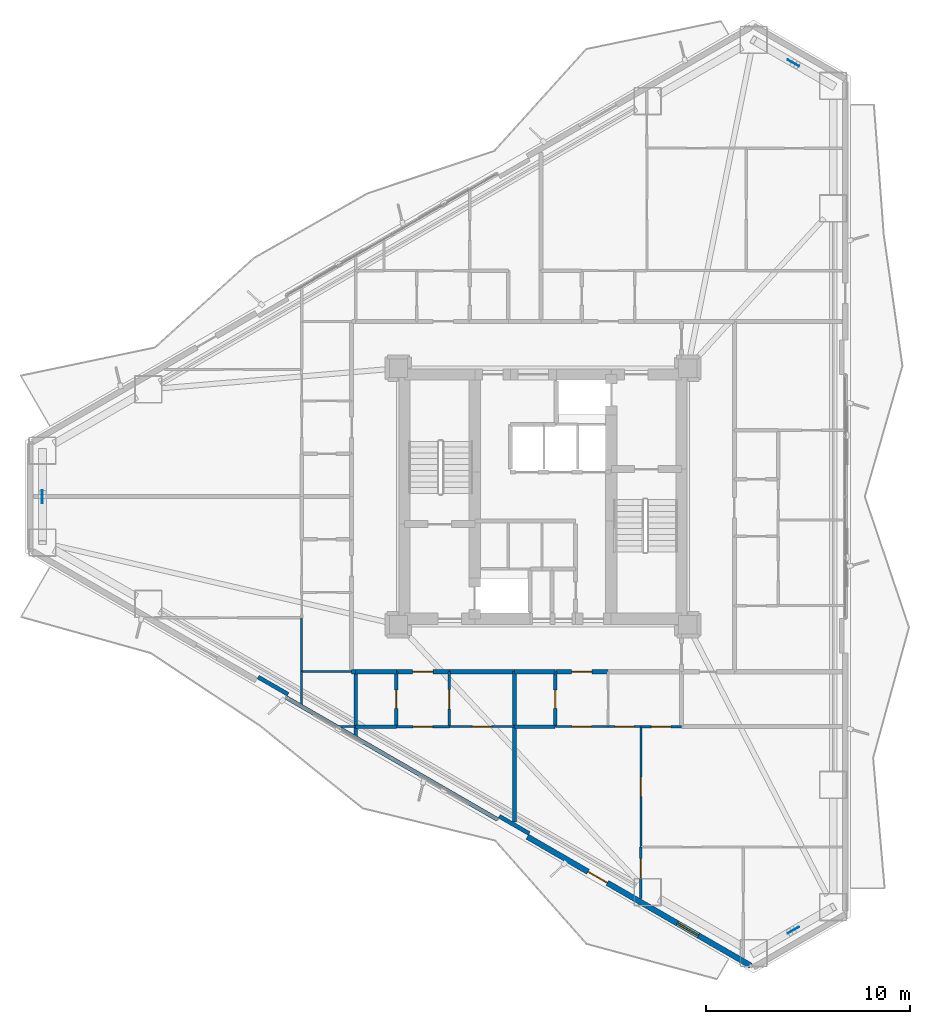
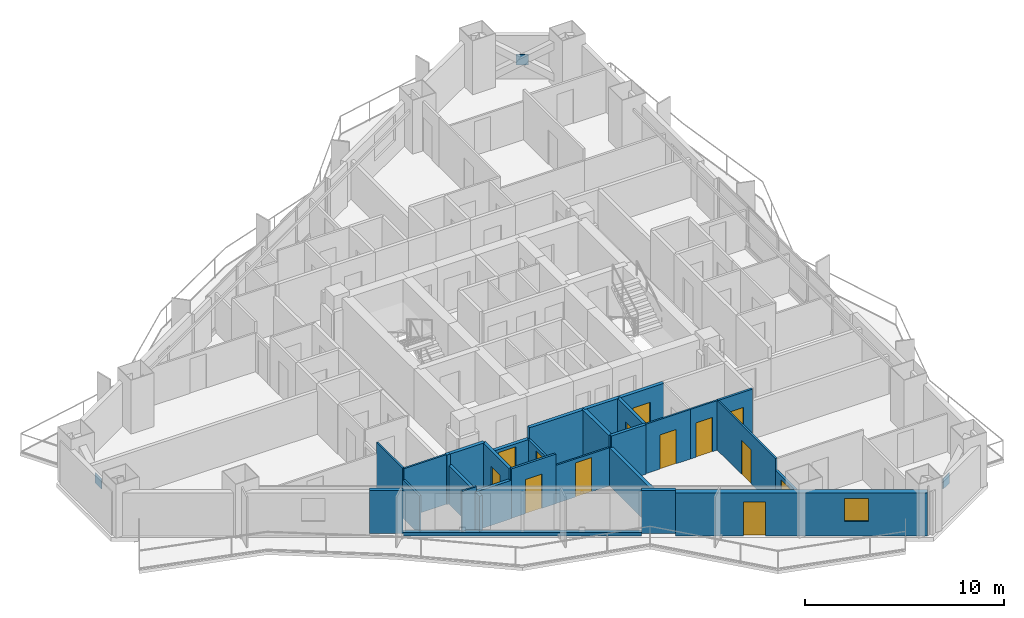
# One storey, part 11 of 18: 29 walls, 13 doors, 3 plates, 1 window, 14 openings.
"""IFC4 building model written with IfcOpenShell, lengths in metres."""

from ifc_helpers import new_model, si_unit, direction, frame, frame_2d, origin, origin_2d, place, context, subcontext, project, spatial, rectangle, extrude, material, layer, layer_set, type_object, element, fill, save


model = new_model("IFC4")

# Units and contexts
model_context = context("Model", 3, precision=1e-05, world=origin(), true_north=direction((0.0, 1.0)))
body_context = subcontext(model_context, "Body", "Model", "MODEL_VIEW")
ifc_project = project(units=[si_unit("LENGTHUNIT", "METRE"), si_unit("AREAUNIT", "SQUARE_METRE"), si_unit("VOLUMEUNIT", "CUBIC_METRE"), si_unit("PLANEANGLEUNIT", "RADIAN"), si_unit("MASSUNIT", "GRAM", prefix="KILO")], contexts=[model_context])

# Site, building, storey
site_placement = place(None, origin())
site = spatial("IfcSite", under=ifc_project, at=site_placement, CompositionType="ELEMENT")
building_placement = place(site_placement, origin())
building = spatial("IfcBuilding", under=site, at=building_placement, Name="Mersakhor Tower and Convention Hall", CompositionType="ELEMENT")
storey_placement = place(building_placement, frame((0.0, 0.0, 39.0)))
storey = spatial("IfcBuildingStorey", under=building, at=storey_placement, Name="L10", CompositionType="ELEMENT", Elevation=39.0)

# Plates
ifc_material_1 = material(Name="Steel S460", Category="steel")
ifc_layer_1 = layer(ifc_material_1, 0.0400390625)
ifc_layer_set_1 = layer_set([ifc_layer_1], Name="Steel S460")
plate_type = type_object("IfcPlateType", Name="PL-GUSSET-40", PredefinedType="SHEET", material=ifc_layer_set_1)
for number, where, z_axis, x_axis, name in (
    (1, (41.29345703125, 48.04296875, 1.2001953125), (0.0, 0.0, 1.0), (-0.866025403784, 0.5, 0.0), "L10 X-Brace Crossing Gusset Node Plate"),
    (2, (41.29345703125, 5.45703125, 1.2001953125), (0.0, 0.0, 1.0), (0.866025403784, 0.5, 0.0), "L10 X-Brace Crossing Gusset Node Plate"),
    (3, (4.4130859375, 26.75, 1.2001953125), (0.0, 0.0, 1.0), (0.0, -1.0, 0.0), "L10 X-Brace Crossing Gusset Node Plate"),
):
    element("IfcPlate", number, at=place(storey_placement, frame(where, z_axis=z_axis, x_axis=x_axis)), inside=storey, type_object=plate_type, Name=name, PredefinedType="SHEET", context=body_context, shape_type="SweptSolid", body=[
        extrude(rectangle(XDim=0.639892578125, YDim=0.0400390625, at=origin_2d()), origin(), (0.0, 0.0, 1.0), 0.639892578125),
    ])

# Wall, openings, door, window
ifc_material_2 = material(Name="Precast concrete C45/55", Category="concrete")
ifc_layer_2 = layer(ifc_material_2, 0.27490234375)
ifc_layer_set_2 = layer_set([ifc_layer_2], Name="Precast concrete C45/55")
wall_type_1 = type_object("IfcWallType", Name="WL-EXT-275", PredefinedType="SOLIDWALL", material=ifc_layer_set_2)
wall_1_placement = place(storey_placement, frame((39.20703125, 3.709716796875, 0.0), z_axis=(0.0, 0.0, 1.0), x_axis=(-0.86603192154, 0.499988710747, 0.0)))
wall_1 = element("IfcWall", 4, at=wall_1_placement, inside=storey, type_object=wall_type_1, Name="L10 Exterior Facade Wall F3-B1", PredefinedType="SOLIDWALL", context=body_context, shape_type="SweptSolid", body=[
    extrude(rectangle(XDim=12.673095703125, YDim=0.27490234375, at=frame_2d((6.33642578125, 0.0))), origin(), (0.0, 0.0, 1.0), 2.659912109375),
])
opening_1_placement = place(wall_1_placement, frame((8.135986328125, 0.0, 0.0)))
opening_1 = element("IfcOpeningElement", 5, at=opening_1_placement, cuts=wall_1, Name="Opening BD-02", PredefinedType="OPENING", context=body_context, shape_type="SweptSolid", body=[
    extrude(rectangle(XDim=1.10009765625, YDim=2.10009765625, at=frame_2d((0.550048828125, 1.050048828125))), frame((0.0, 0.1474609375, 0.0), z_axis=(0.0, -1.0, 0.0), x_axis=(1.0, 0.0, 0.0)), (0.0, 0.0, 1.0), 0.294921875),
])
opening_2_placement = place(wall_1_placement, frame((2.970947265625, 0.0, 0.89990234375)))
opening_2 = element("IfcOpeningElement", 6, at=opening_2_placement, cuts=wall_1, Name="Opening W-01", PredefinedType="OPENING", context=body_context, shape_type="SweptSolid", body=[
    extrude(rectangle(XDim=1.199951171875, YDim=1.39990234375, at=frame_2d((0.60009765625, 0.699951171875))), frame((0.0, 0.1474609375, 0.0), z_axis=(0.0, -1.0, 0.0), x_axis=(1.0, 0.0, 0.0)), (0.0, 0.0, 1.0), 0.294921875),
])
ifc_material_3 = material(Name="Thermally broken dark aluminium and safety glass", Category="aluminium")
door_type_1 = type_object("IfcDoorType", Name="DR-BAL-110x210", OperationType="NOTDEFINED", PredefinedType="DOOR", material=ifc_material_3)
door_1_placement = place(opening_1_placement, origin())
door_1 = element("IfcDoor", 7, at=door_1_placement, inside=storey, type_object=door_type_1, Name="L10 Balcony Terrace Door F3-B1", OperationType="SINGLE_SWING_RIGHT", OverallHeight=2.10009765625, OverallWidth=1.10009765625, PredefinedType="DOOR", context=body_context, shape_type="SweptSolid", body=[
    extrude(rectangle(XDim=1.10009765625, YDim=2.10009765625, at=frame_2d((0.550048828125, 1.050048828125))), frame((0.0, 0.02490234375, 0.0), z_axis=(0.0, -1.0, 0.0), x_axis=(1.0, 0.0, 0.0)), (0.0, 0.0, 1.0), 0.050048828125),
])
fill(opening_1, door_1)
ifc_material_4 = material(Name="Dark solar low-E glazed aluminium window", Category="aluminium")
window_type = type_object("IfcWindowType", Name="WN-RES-120x150", PartitioningType="SINGLE_PANEL", PredefinedType="WINDOW", material=ifc_material_4)
window_placement = place(opening_2_placement, origin())
window = element("IfcWindow", 8, at=window_placement, inside=storey, type_object=window_type, Name="L10 Bedroom Facade Window F3-B1-1", OverallHeight=1.39990234375, OverallWidth=1.199951171875, PartitioningType="SINGLE_PANEL", PredefinedType="WINDOW", context=body_context, shape_type="SweptSolid", body=[
    extrude(rectangle(XDim=1.199951171875, YDim=1.39990234375, at=frame_2d((0.60009765625, 0.699951171875))), frame((0.0, 0.030029296875, 0.0), z_axis=(0.0, -1.0, 0.0), x_axis=(1.0, 0.0, 0.0)), (0.0, 0.0, 1.0), 0.06005859375),
])
fill(opening_2, window)

# Walls
ifc_material_5 = material(Name="Precast concrete C40/50", Category="concrete")
ifc_layer_3 = layer(ifc_material_5, 0.199951171875)
ifc_layer_set_3 = layer_set([ifc_layer_3], Name="Precast concrete C40/50")
wall_type_2 = type_object("IfcWallType", Name="WL-PAR-200", PredefinedType="PARAPET", material=ifc_layer_set_3)
wall_2_placement = place(storey_placement, frame((26.759521484375, 10.896240234375, 0.0), z_axis=(0.0, 0.0, 1.0), x_axis=(-0.866027351828, 0.499996625875, 0.0)))
element("IfcWall", 9, at=wall_2_placement, inside=storey, type_object=wall_type_2, Name="L10 Curtain Wall Upstand Sill F3-B2", PredefinedType="PARAPET", context=body_context, shape_type="SweptSolid", body=[
    extrude(rectangle(XDim=11.97314453125, YDim=0.199951171875, at=frame_2d((5.986572265625, 0.0))), origin(), (0.0, 0.0, 1.0), 0.199951171875),
])
for number, where, z_axis, x_axis, name in (
    (10, (28.32177734375, 10.2021484375, 0.0), (0.0, 0.0, 1.0), (-0.86605165483, 0.499954529098, 0.0), "L10 Column Pier Cladding Wall F3-C1"),
    (11, (16.48046875, 17.038818359375, 0.0), (0.0, 0.0, 1.0), (-0.86605165483, 0.499954529098, 0.0), "L10 Column Pier Cladding Wall F3-C2"),
):
    element("IfcWall", number, at=place(storey_placement, frame(where, z_axis=z_axis, x_axis=x_axis)), inside=storey, type_object=wall_type_2, Name=name, PredefinedType="PARAPET", context=body_context, shape_type="SweptSolid", body=[
        extrude(rectangle(XDim=1.699951171875, YDim=0.199951171875, at=frame_2d((0.85009765625, 0.0))), origin(), (0.0, 0.0, 1.0), 2.659912109375),
    ])

# Wall, opening, door
ifc_material_6 = material(Name="Moisture-resistant acoustic drywall studwork", Category="other")
ifc_layer_4 = layer(ifc_material_6, 0.175048828125)
ifc_layer_set_4 = layer_set([ifc_layer_4], Name="Moisture-resistant acoustic drywall studwork")
wall_type_3 = type_object("IfcWallType", Name="WL-PLM-175", PredefinedType="PLUMBINGWALL", material=ifc_layer_set_4)
wall_3_placement = place(storey_placement, frame((21.800048828125, 15.449951171875, 0.0), z_axis=(0.0, 0.0, 1.0), x_axis=(0.0, 1.0, 0.0)))
wall_3 = element("IfcWall", 12, at=wall_3_placement, inside=storey, type_object=wall_type_3, Name="L10 Interior Partition Wall P-074", PredefinedType="PLUMBINGWALL", context=body_context, shape_type="SweptSolid", body=[
    extrude(rectangle(XDim=2.699951171875, YDim=0.175048828125, at=frame_2d((1.35009765625, 0.0))), origin(), (0.0, 0.0, 1.0), 3.0400390625),
])
opening_3_placement = place(wall_3_placement, frame((0.89990234375, 0.0, 0.0)))
opening_3 = element("IfcOpeningElement", 13, at=opening_3_placement, cuts=wall_3, Name="Opening WD-01", PredefinedType="OPENING", context=body_context, shape_type="SweptSolid", body=[
    extrude(rectangle(XDim=0.89990234375, YDim=2.10009765625, at=frame_2d((0.449951171875, 1.050048828125))), frame((0.0, 0.097412109375, 0.0), z_axis=(0.0, -1.0, 0.0), x_axis=(1.0, 0.0, 0.0)), (0.0, 0.0, 1.0), 0.195068359375),
])
ifc_material_7 = material(Name="Solid-core hardwood leaf in painted steel frame", Category="steel")
door_type_2 = type_object("IfcDoorType", Name="DR-INT-WET-090x210", OperationType="NOTDEFINED", PredefinedType="DOOR", material=ifc_material_7)
door_2_placement = place(opening_3_placement, origin())
door_2 = element("IfcDoor", 14, at=door_2_placement, inside=storey, type_object=door_type_2, Name="L10 L10 Flat S3 Apartment Hall to L10 Flat S3 Bathroom Door", OperationType="SINGLE_SWING_RIGHT", OverallHeight=2.10009765625, OverallWidth=0.89990234375, PredefinedType="DOOR", context=body_context, shape_type="SweptSolid", body=[
    extrude(rectangle(XDim=0.89990234375, YDim=2.10009765625, at=frame_2d((0.449951171875, 1.050048828125))), frame((0.0, 0.02490234375, 0.0), z_axis=(0.0, -1.0, 0.0), x_axis=(1.0, 0.0, 0.0)), (0.0, 0.0, 1.0), 0.050048828125),
])
fill(opening_3, door_2)

wall_4_placement = place(storey_placement, frame((29.60009765625, 15.449951171875, 0.0), z_axis=(0.0, 0.0, 1.0), x_axis=(0.0, 1.0, 0.0)))
wall_4 = element("IfcWall", 15, at=wall_4_placement, inside=storey, type_object=wall_type_3, Name="L10 Interior Partition Wall P-077", PredefinedType="PLUMBINGWALL", context=body_context, shape_type="SweptSolid", body=[
    extrude(rectangle(XDim=2.699951171875, YDim=0.175048828125, at=frame_2d((1.35009765625, 0.0))), origin(), (0.0, 0.0, 1.0), 3.0400390625),
])
opening_4_placement = place(wall_4_placement, frame((0.89990234375, 0.0, 0.0)))
opening_4 = element("IfcOpeningElement", 16, at=opening_4_placement, cuts=wall_4, Name="Opening WD-01", PredefinedType="OPENING", context=body_context, shape_type="SweptSolid", body=[
    extrude(rectangle(XDim=0.89990234375, YDim=2.10009765625, at=frame_2d((0.449951171875, 1.050048828125))), frame((0.0, 0.097412109375, 0.0), z_axis=(0.0, -1.0, 0.0), x_axis=(1.0, 0.0, 0.0)), (0.0, 0.0, 1.0), 0.195068359375),
])
door_3_placement = place(opening_4_placement, origin())
door_3 = element("IfcDoor", 17, at=door_3_placement, inside=storey, type_object=door_type_2, Name="L10 L10 Flat S4 Apartment Hall to L10 Flat S4 Bathroom Door", OperationType="SINGLE_SWING_LEFT", OverallHeight=2.10009765625, OverallWidth=0.89990234375, PredefinedType="DOOR", context=body_context, shape_type="SweptSolid", body=[
    extrude(rectangle(XDim=0.89990234375, YDim=2.10009765625, at=frame_2d((0.449951171875, 1.050048828125))), frame((0.0, 0.02490234375, 0.0), z_axis=(0.0, -1.0, 0.0), x_axis=(1.0, 0.0, 0.0)), (0.0, 0.0, 1.0), 0.050048828125),
])
fill(opening_4, door_3)

# Walls
wall_5_placement = place(storey_placement, frame((21.800048828125, 15.449951171875, 0.0), z_axis=(0.0, 0.0, 1.0), x_axis=(-1.0, 0.0, 0.0)))
element("IfcWall", 18, at=wall_5_placement, inside=storey, type_object=wall_type_3, Name="L10 Interior Partition Wall P-100", PredefinedType="PLUMBINGWALL", context=body_context, shape_type="SweptSolid", body=[
    extrude(rectangle(XDim=2.0, YDim=0.175048828125, at=frame_2d((1.0, 0.0))), origin(), (0.0, 0.0, 1.0), 2.364990234375),
])
wall_6_placement = place(storey_placement, frame((19.800048828125, 14.955810546875, 0.0), z_axis=(0.0, 0.0, 1.0), x_axis=(0.0, 1.0, 0.0)))
element("IfcWall", 19, at=wall_6_placement, inside=storey, type_object=wall_type_3, Name="L10 Interior Partition Wall P-101", PredefinedType="PLUMBINGWALL", context=body_context, shape_type="SweptSolid", body=[
    extrude(rectangle(XDim=3.194091796875, YDim=0.175048828125, at=frame_2d((1.59716796875, 0.0))), origin(), (0.0, 0.0, 1.0), 2.364990234375),
])
wall_7_placement = place(storey_placement, frame((29.60009765625, 15.449951171875, 0.0), z_axis=(0.0, 0.0, 1.0), x_axis=(-1.0, 0.0, 0.0)))
element("IfcWall", 20, at=wall_7_placement, inside=storey, type_object=wall_type_3, Name="L10 Interior Partition Wall P-104", PredefinedType="PLUMBINGWALL", context=body_context, shape_type="SweptSolid", body=[
    extrude(rectangle(XDim=2.0, YDim=0.175048828125, at=frame_2d((1.0, 0.0))), origin(), (0.0, 0.0, 1.0), 3.0400390625),
])

# Wall, opening, door
ifc_material_8 = material(Name="Lightweight gypsum partition", Category="other")
ifc_layer_5 = layer(ifc_material_8, 0.10009765625)
ifc_layer_set_5 = layer_set([ifc_layer_5], Name="Lightweight gypsum partition")
wall_type_4 = type_object("IfcWallType", Name="WL-PRT-100", PredefinedType="PARTITIONING", material=ifc_layer_set_5)
wall_8_placement = place(storey_placement, frame((32.199951171875, 15.449951171875, 0.0), z_axis=(0.0, 0.0, 1.0), x_axis=(-1.0, 0.0, 0.0)))
wall_8 = element("IfcWall", 21, at=wall_8_placement, inside=storey, type_object=wall_type_4, Name="L10 Interior Partition Wall P-076", PredefinedType="PARTITIONING", context=body_context, shape_type="SweptSolid", body=[
    extrude(rectangle(XDim=2.599853515625, YDim=0.10009765625, at=frame_2d((1.2998046875, 0.0))), origin(), (0.0, 0.0, 1.0), 3.0400390625),
])
opening_5_placement = place(wall_8_placement, frame((0.824951171875, 0.0, 0.0)))
opening_5 = element("IfcOpeningElement", 22, at=opening_5_placement, cuts=wall_8, Name="Opening RD-01", PredefinedType="OPENING", context=body_context, shape_type="SweptSolid", body=[
    extrude(rectangle(XDim=0.949951171875, YDim=2.10009765625, at=frame_2d((0.47509765625, 1.050048828125))), frame((0.0, 0.06005859375, 0.0), z_axis=(0.0, -1.0, 0.0), x_axis=(1.0, 0.0, 0.0)), (0.0, 0.0, 1.0), 0.1201171875),
])
ifc_material_9 = material(Name="Solid-core hardwood leaf in painted steel frame", Category="steel")
door_type_3 = type_object("IfcDoorType", Name="DR-INT-RM-095x210", OperationType="NOTDEFINED", PredefinedType="DOOR", material=ifc_material_9)
door_4_placement = place(opening_5_placement, origin())
door_4 = element("IfcDoor", 23, at=door_4_placement, inside=storey, type_object=door_type_3, Name="L10 L10 Flat S4 Apartment Hall to L10 Flat S4 Living and Dining Room Door", OperationType="SINGLE_SWING_LEFT", OverallHeight=2.10009765625, OverallWidth=0.949951171875, PredefinedType="DOOR", context=body_context, shape_type="SweptSolid", body=[
    extrude(rectangle(XDim=0.949951171875, YDim=2.10009765625, at=frame_2d((0.47509765625, 1.050048828125))), frame((0.0, 0.02490234375, 0.0), z_axis=(0.0, -1.0, 0.0), x_axis=(1.0, 0.0, 0.0)), (0.0, 0.0, 1.0), 0.050048828125),
])
fill(opening_5, door_4)

wall_9_placement = place(storey_placement, frame((27.60009765625, 15.449951171875, 0.0), z_axis=(0.0, 0.0, 1.0), x_axis=(-1.0, 0.0, 0.0)))
wall_9 = element("IfcWall", 24, at=wall_9_placement, inside=storey, type_object=wall_type_4, Name="L10 Interior Partition Wall P-102", PredefinedType="PARTITIONING", context=body_context, shape_type="SweptSolid", body=[
    extrude(rectangle(XDim=3.2001953125, YDim=0.10009765625, at=frame_2d((1.60009765625, 0.0))), origin(), (0.0, 0.0, 1.0), 2.33740234375),
])
opening_6_placement = place(wall_9_placement, frame((1.125, 0.0, 0.0)))
opening_6 = element("IfcOpeningElement", 25, at=opening_6_placement, cuts=wall_9, Name="Opening RD-01", PredefinedType="OPENING", context=body_context, shape_type="SweptSolid", body=[
    extrude(rectangle(XDim=0.949951171875, YDim=2.10009765625, at=frame_2d((0.47509765625, 1.050048828125))), frame((0.0, 0.06005859375, 0.0), z_axis=(0.0, -1.0, 0.0), x_axis=(1.0, 0.0, 0.0)), (0.0, 0.0, 1.0), 0.1201171875),
])
door_5_placement = place(opening_6_placement, origin())
door_5 = element("IfcDoor", 26, at=door_5_placement, inside=storey, type_object=door_type_3, Name="L10 L10 Flat S3 Kitchen to L10 Flat S3 Studio Living and Sleeping Room Door", OperationType="SINGLE_SWING_LEFT", OverallHeight=2.10009765625, OverallWidth=0.949951171875, PredefinedType="DOOR", context=body_context, shape_type="SweptSolid", body=[
    extrude(rectangle(XDim=0.949951171875, YDim=2.10009765625, at=frame_2d((0.47509765625, 1.050048828125))), frame((0.0, 0.02490234375, 0.0), z_axis=(0.0, -1.0, 0.0), x_axis=(1.0, 0.0, 0.0)), (0.0, 0.0, 1.0), 0.050048828125),
])
fill(opening_6, door_5)

wall_10_placement = place(storey_placement, frame((33.800048828125, 15.449951171875, 0.0), z_axis=(0.0, 0.0, 1.0), x_axis=(-1.0, 0.0, 0.0)))
wall_10 = element("IfcWall", 27, at=wall_10_placement, inside=storey, type_object=wall_type_4, Name="L10 Interior Partition Wall P-106", PredefinedType="PARTITIONING", context=body_context, shape_type="SweptSolid", body=[
    extrude(rectangle(XDim=1.60009765625, YDim=0.10009765625, at=frame_2d((0.800048828125, 0.0))), origin(), (0.0, 0.0, 1.0), 3.0400390625),
])
opening_7_placement = place(wall_10_placement, frame((0.324951171875, 0.0, 0.0)))
opening_7 = element("IfcOpeningElement", 28, at=opening_7_placement, cuts=wall_10, Name="Opening RD-01", PredefinedType="OPENING", context=body_context, shape_type="SweptSolid", body=[
    extrude(rectangle(XDim=0.949951171875, YDim=2.10009765625, at=frame_2d((0.47509765625, 1.050048828125))), frame((0.0, 0.06005859375, 0.0), z_axis=(0.0, -1.0, 0.0), x_axis=(1.0, 0.0, 0.0)), (0.0, 0.0, 1.0), 0.1201171875),
])
door_6_placement = place(opening_7_placement, origin())
door_6 = element("IfcDoor", 29, at=door_6_placement, inside=storey, type_object=door_type_3, Name="L10 L10 Flat S4 Kitchen to L10 Flat S4 Living and Dining Room Door", OperationType="SINGLE_SWING_RIGHT", OverallHeight=2.10009765625, OverallWidth=0.949951171875, PredefinedType="DOOR", context=body_context, shape_type="SweptSolid", body=[
    extrude(rectangle(XDim=0.949951171875, YDim=2.10009765625, at=frame_2d((0.47509765625, 1.050048828125))), frame((0.0, 0.02490234375, 0.0), z_axis=(0.0, -1.0, 0.0), x_axis=(1.0, 0.0, 0.0)), (0.0, 0.0, 1.0), 0.050048828125),
])
fill(opening_7, door_6)

# Walls
wall_11_placement = place(storey_placement, frame((17.14990234375, 18.14990234375, 0.0), z_axis=(0.0, 0.0, 1.0), x_axis=(0.0, 1.0, 0.0)))
element("IfcWall", 30, at=wall_11_placement, inside=storey, type_object=wall_type_4, Name="L10 Interior Partition Wall P-114", PredefinedType="PARTITIONING", context=body_context, shape_type="SweptSolid", body=[
    extrude(rectangle(XDim=2.650146484375, YDim=0.10009765625, at=frame_2d((1.3251953125, 0.0))), origin(), (0.0, 0.0, 1.0), 3.0400390625),
])
wall_12_placement = place(storey_placement, frame((19.60009765625, 18.14990234375, 0.0), z_axis=(0.0, 0.0, 1.0), x_axis=(-1.0, 0.0, 0.0)))
element("IfcWall", 31, at=wall_12_placement, inside=storey, type_object=wall_type_4, Name="L10 Interior Partition Wall P-116", PredefinedType="PARTITIONING", context=body_context, shape_type="SweptSolid", body=[
    extrude(rectangle(XDim=2.4501953125, YDim=0.10009765625, at=frame_2d((1.22509765625, 0.0))), origin(), (0.0, 0.0, 1.0), 3.0400390625),
])
wall_13_placement = place(storey_placement, frame((18.9375, 15.449951171875, 0.0), z_axis=(0.0, 0.0, 1.0), x_axis=(1.0, 0.0, 0.0)))
element("IfcWall", 32, at=wall_13_placement, inside=storey, type_object=wall_type_4, Name="L10 Interior Partition Wall P-132", PredefinedType="PARTITIONING", context=body_context, shape_type="SweptSolid", body=[
    extrude(rectangle(XDim=0.862548828125, YDim=0.10009765625, at=frame_2d((0.43115234375, 0.0))), origin(), (0.0, 0.0, 1.0), 2.650390625),
])

# Wall, opening, door
wall_14_placement = place(storey_placement, frame((33.800048828125, 15.449951171875, 0.0), z_axis=(0.0, 0.0, 1.0), x_axis=(0.0, -1.0, 0.0)))
wall_14 = element("IfcWall", 33, at=wall_14_placement, inside=storey, type_object=wall_type_4, Name="L10 Interior Partition Wall P-134", PredefinedType="PARTITIONING", context=body_context, shape_type="SweptSolid", body=[
    extrude(rectangle(XDim=5.909912109375, YDim=0.10009765625, at=frame_2d((2.955078125, 0.0))), origin(), (0.0, 0.0, 1.0), 3.0400390625),
])
opening_8_placement = place(wall_14_placement, frame((2.47998046875, 0.0, 0.0)))
opening_8 = element("IfcOpeningElement", 34, at=opening_8_placement, cuts=wall_14, Name="Opening RD-01", PredefinedType="OPENING", context=body_context, shape_type="SweptSolid", body=[
    extrude(rectangle(XDim=0.949951171875, YDim=2.10009765625, at=frame_2d((0.47509765625, 1.050048828125))), frame((0.0, 0.06005859375, 0.0), z_axis=(0.0, -1.0, 0.0), x_axis=(1.0, 0.0, 0.0)), (0.0, 0.0, 1.0), 0.1201171875),
])
door_7_placement = place(opening_8_placement, origin())
door_7 = element("IfcDoor", 35, at=door_7_placement, inside=storey, type_object=door_type_3, Name="L10 L10 Flat S4 Living and Dining Room to L10 Flat S4 Dining Room Door", OperationType="SINGLE_SWING_RIGHT", OverallHeight=2.10009765625, OverallWidth=0.949951171875, PredefinedType="DOOR", context=body_context, shape_type="SweptSolid", body=[
    extrude(rectangle(XDim=0.949951171875, YDim=2.10009765625, at=frame_2d((0.47509765625, 1.050048828125))), frame((0.0, 0.02490234375, 0.0), z_axis=(0.0, -1.0, 0.0), x_axis=(1.0, 0.0, 0.0)), (0.0, 0.0, 1.0), 0.050048828125),
])
fill(opening_8, door_7)

# Wall
wall_15_placement = place(storey_placement, frame((17.14990234375, 18.14990234375, 0.0), z_axis=(0.0, 0.0, 1.0), x_axis=(0.0, -1.0, 0.0)))
element("IfcWall", 36, at=wall_15_placement, inside=storey, type_object=wall_type_4, Name="L10 Interior Partition Wall P-146", PredefinedType="PARTITIONING", context=body_context, shape_type="SweptSolid", body=[
    extrude(rectangle(XDim=1.6640625, YDim=0.10009765625, at=frame_2d((0.83203125, 0.0))), origin(), (0.0, 0.0, 1.0), 2.364990234375),
])

# Wall, opening, door
ifc_material_10 = material(Name="Gypsum board acoustic partition", Category="other")
ifc_layer_6 = layer(ifc_material_10, 0.125)
ifc_layer_set_6 = layer_set([ifc_layer_6], Name="Gypsum board acoustic partition")
wall_type_5 = type_object("IfcWallType", Name="WL-PRT-125", PredefinedType="PARTITIONING", material=ifc_layer_set_6)
wall_16_placement = place(storey_placement, frame((24.39990234375, 15.449951171875, 0.0), z_axis=(0.0, 0.0, 1.0), x_axis=(-1.0, 0.0, 0.0)))
wall_16 = element("IfcWall", 37, at=wall_16_placement, inside=storey, type_object=wall_type_5, Name="L10 Interior Partition Wall P-073", PredefinedType="PARTITIONING", context=body_context, shape_type="SweptSolid", body=[
    extrude(rectangle(XDim=2.599853515625, YDim=0.125, at=frame_2d((1.2998046875, 0.0))), origin(), (0.0, 0.0, 1.0), 3.0400390625),
])
opening_9_placement = place(wall_16_placement, frame((0.824951171875, 0.0, 0.0)))
opening_9 = element("IfcOpeningElement", 38, at=opening_9_placement, cuts=wall_16, Name="Opening RD-01", PredefinedType="OPENING", context=body_context, shape_type="SweptSolid", body=[
    extrude(rectangle(XDim=0.949951171875, YDim=2.10009765625, at=frame_2d((0.47509765625, 1.050048828125))), frame((0.0, 0.072509765625, 0.0), z_axis=(0.0, -1.0, 0.0), x_axis=(1.0, 0.0, 0.0)), (0.0, 0.0, 1.0), 0.14501953125),
])
door_8_placement = place(opening_9_placement, origin())
door_8 = element("IfcDoor", 39, at=door_8_placement, inside=storey, type_object=door_type_3, Name="L10 L10 Flat S3 Apartment Hall to L10 Flat S3 Studio Living and Sleeping Room Door", OperationType="SINGLE_SWING_RIGHT", OverallHeight=2.10009765625, OverallWidth=0.949951171875, PredefinedType="DOOR", context=body_context, shape_type="SweptSolid", body=[
    extrude(rectangle(XDim=0.949951171875, YDim=2.10009765625, at=frame_2d((0.47509765625, 1.050048828125))), frame((0.0, 0.02490234375, 0.0), z_axis=(0.0, -1.0, 0.0), x_axis=(1.0, 0.0, 0.0)), (0.0, 0.0, 1.0), 0.050048828125),
])
fill(opening_9, door_8)

wall_17_placement = place(storey_placement, frame((24.39990234375, 18.14990234375, 0.0), z_axis=(0.0, 0.0, 1.0), x_axis=(0.0, -1.0, 0.0)))
wall_17 = element("IfcWall", 40, at=wall_17_placement, inside=storey, type_object=wall_type_5, Name="L10 Interior Partition Wall P-075", PredefinedType="PARTITIONING", context=body_context, shape_type="SweptSolid", body=[
    extrude(rectangle(XDim=2.699951171875, YDim=0.125, at=frame_2d((1.35009765625, 0.0))), origin(), (0.0, 0.0, 1.0), 2.33740234375),
])
opening_10_placement = place(wall_17_placement, frame((0.875, 0.0, 0.0)))
opening_10 = element("IfcOpeningElement", 41, at=opening_10_placement, cuts=wall_17, Name="Opening RD-01", PredefinedType="OPENING", context=body_context, shape_type="SweptSolid", body=[
    extrude(rectangle(XDim=0.949951171875, YDim=2.10009765625, at=frame_2d((0.47509765625, 1.050048828125))), frame((0.0, 0.072509765625, 0.0), z_axis=(0.0, -1.0, 0.0), x_axis=(1.0, 0.0, 0.0)), (0.0, 0.0, 1.0), 0.14501953125),
])
door_9_placement = place(opening_10_placement, origin())
door_9 = element("IfcDoor", 42, at=door_9_placement, inside=storey, type_object=door_type_3, Name="L10 L10 Flat S3 Apartment Hall to L10 Flat S3 Kitchen Door", OperationType="SINGLE_SWING_LEFT", OverallHeight=2.10009765625, OverallWidth=0.949951171875, PredefinedType="DOOR", context=body_context, shape_type="SweptSolid", body=[
    extrude(rectangle(XDim=0.949951171875, YDim=2.10009765625, at=frame_2d((0.47509765625, 1.050048828125))), frame((0.0, 0.02490234375, 0.0), z_axis=(0.0, -1.0, 0.0), x_axis=(1.0, 0.0, 0.0)), (0.0, 0.0, 1.0), 0.050048828125),
])
fill(opening_10, door_9)

wall_18_placement = place(storey_placement, frame((35.800048828125, 15.449951171875, 0.0), z_axis=(0.0, 0.0, 1.0), x_axis=(-1.0, 0.0, 0.0)))
wall_18 = element("IfcWall", 43, at=wall_18_placement, inside=storey, type_object=wall_type_5, Name="L10 Interior Partition Wall P-105", PredefinedType="PARTITIONING", context=body_context, shape_type="SweptSolid", body=[
    extrude(rectangle(XDim=2.0, YDim=0.125, at=frame_2d((1.0, 0.0))), origin(), (0.0, 0.0, 1.0), 3.0400390625),
])
opening_11_placement = place(wall_18_placement, frame((0.52490234375, 0.0, 0.0)))
opening_11 = element("IfcOpeningElement", 44, at=opening_11_placement, cuts=wall_18, Name="Opening RD-01", PredefinedType="OPENING", context=body_context, shape_type="SweptSolid", body=[
    extrude(rectangle(XDim=0.949951171875, YDim=2.10009765625, at=frame_2d((0.47509765625, 1.050048828125))), frame((0.0, 0.072509765625, 0.0), z_axis=(0.0, -1.0, 0.0), x_axis=(1.0, 0.0, 0.0)), (0.0, 0.0, 1.0), 0.14501953125),
])
door_10_placement = place(opening_11_placement, origin())
door_10 = element("IfcDoor", 45, at=door_10_placement, inside=storey, type_object=door_type_3, Name="L10 L10 Flat S4 Kitchen to L10 Flat S4 Dining Room Door", OperationType="SINGLE_SWING_LEFT", OverallHeight=2.10009765625, OverallWidth=0.949951171875, PredefinedType="DOOR", context=body_context, shape_type="SweptSolid", body=[
    extrude(rectangle(XDim=0.949951171875, YDim=2.10009765625, at=frame_2d((0.47509765625, 1.050048828125))), frame((0.0, 0.02490234375, 0.0), z_axis=(0.0, -1.0, 0.0), x_axis=(1.0, 0.0, 0.0)), (0.0, 0.0, 1.0), 0.050048828125),
])
fill(opening_11, door_10)

wall_19_placement = place(storey_placement, frame((33.800048828125, 9.5400390625, 0.0), z_axis=(0.0, 0.0, 1.0), x_axis=(0.0, -1.0, 0.0)))
wall_19 = element("IfcWall", 46, at=wall_19_placement, inside=storey, type_object=wall_type_5, Name="L10 Interior Partition Wall P-135", PredefinedType="PARTITIONING", context=body_context, shape_type="SweptSolid", body=[
    extrude(rectangle(XDim=2.522216796875, YDim=0.125, at=frame_2d((1.26123046875, 0.0))), origin(), (0.0, 0.0, 1.0), 2.33740234375),
])
opening_12_placement = place(wall_19_placement, frame((0.57421875, 0.0, 0.0)))
opening_12 = element("IfcOpeningElement", 47, at=opening_12_placement, cuts=wall_19, Name="Opening RD-01", PredefinedType="OPENING", context=body_context, shape_type="SweptSolid", body=[
    extrude(rectangle(XDim=0.949951171875, YDim=2.10009765625, at=frame_2d((0.47509765625, 1.050048828125))), frame((0.0, 0.072509765625, 0.0), z_axis=(0.0, -1.0, 0.0), x_axis=(1.0, 0.0, 0.0)), (0.0, 0.0, 1.0), 0.14501953125),
])
door_11_placement = place(opening_12_placement, origin())
door_11 = element("IfcDoor", 48, at=door_11_placement, inside=storey, type_object=door_type_3, Name="L10 L10 Flat S4 Living and Dining Room to L10 Flat S4 Bedroom 1 Door", OperationType="SINGLE_SWING_LEFT", OverallHeight=2.10009765625, OverallWidth=0.949951171875, PredefinedType="DOOR", context=body_context, shape_type="SweptSolid", body=[
    extrude(rectangle(XDim=0.949951171875, YDim=2.10009765625, at=frame_2d((0.47509765625, 1.050048828125))), frame((0.0, 0.02490234375, 0.0), z_axis=(0.0, -1.0, 0.0), x_axis=(1.0, 0.0, 0.0)), (0.0, 0.0, 1.0), 0.050048828125),
])
fill(opening_12, door_11)

ifc_material_11 = material(Name="Acoustic concrete blockwork and gypsum board", Category="masonry")
ifc_layer_7 = layer(ifc_material_11, 0.199951171875)
ifc_layer_set_7 = layer_set([ifc_layer_7], Name="Acoustic concrete blockwork and gypsum board")
wall_type_6 = type_object("IfcWallType", Name="WL-PRT-200", PredefinedType="PARTITIONING", material=ifc_layer_set_7)
wall_20_placement = place(storey_placement, frame((32.199951171875, 18.14990234375, 0.0), z_axis=(0.0, 0.0, 1.0), x_axis=(-1.0, 0.0, 0.0)))
wall_20 = element("IfcWall", 49, at=wall_20_placement, inside=storey, type_object=wall_type_6, Name="L10 Interior Partition Wall P-025", PredefinedType="PARTITIONING", context=body_context, shape_type="SweptSolid", body=[
    extrude(rectangle(XDim=2.599853515625, YDim=0.199951171875, at=frame_2d((1.2998046875, 0.0))), origin(), (0.0, 0.0, 1.0), 3.0400390625),
])
opening_13_placement = place(wall_20_placement, frame((0.800048828125, 0.0, 0.0)))
opening_13 = element("IfcOpeningElement", 50, at=opening_13_placement, cuts=wall_20, Name="Opening FD-01", PredefinedType="OPENING", context=body_context, shape_type="SweptSolid", body=[
    extrude(rectangle(XDim=1.0, YDim=2.14990234375, at=frame_2d((0.5, 1.074951171875))), frame((0.0, 0.10986328125, 0.0), z_axis=(0.0, -1.0, 0.0), x_axis=(1.0, 0.0, 0.0)), (0.0, 0.0, 1.0), 0.219970703125),
])
ifc_material_12 = material(Name="Fire-rated hardwood leaf and painted steel frame", Category="steel")
door_type_4 = type_object("IfcDoorType", Name="DR-INT-FLT-100x215", OperationType="NOTDEFINED", PredefinedType="DOOR", material=ifc_material_12)
door_12_placement = place(opening_13_placement, origin())
door_12 = element("IfcDoor", 51, at=door_12_placement, inside=storey, type_object=door_type_4, Name="L10 Apartment Entrance Door (Residential Ring Corridor to L10 Flat S4 Apartment Hall)", OperationType="SINGLE_SWING_LEFT", OverallHeight=2.14990234375, OverallWidth=1.0, PredefinedType="DOOR", context=body_context, shape_type="SweptSolid", body=[
    extrude(rectangle(XDim=1.0, YDim=2.14990234375, at=frame_2d((0.5, 1.074951171875))), frame((0.0, 0.02490234375, 0.0), z_axis=(0.0, -1.0, 0.0), x_axis=(1.0, 0.0, 0.0)), (0.0, 0.0, 1.0), 0.050048828125),
])
fill(opening_13, door_12)

# Walls
wall_21_placement = place(storey_placement, frame((29.60009765625, 18.14990234375, 0.0), z_axis=(0.0, 0.0, 1.0), x_axis=(-1.0, 0.0, 0.0)))
element("IfcWall", 52, at=wall_21_placement, inside=storey, type_object=wall_type_6, Name="L10 Interior Partition Wall P-026", PredefinedType="PARTITIONING", context=body_context, shape_type="SweptSolid", body=[
    extrude(rectangle(XDim=2.0, YDim=0.199951171875, at=frame_2d((1.0, 0.0))), origin(), (0.0, 0.0, 1.0), 3.0400390625),
])
wall_22_placement = place(storey_placement, frame((27.60009765625, 18.14990234375, 0.0), z_axis=(0.0, 0.0, 1.0), x_axis=(-1.0, 0.0, 0.0)))
element("IfcWall", 53, at=wall_22_placement, inside=storey, type_object=wall_type_6, Name="L10 Interior Partition Wall P-027", PredefinedType="PARTITIONING", context=body_context, shape_type="SweptSolid", body=[
    extrude(rectangle(XDim=3.2001953125, YDim=0.199951171875, at=frame_2d((1.60009765625, 0.0))), origin(), (0.0, 0.0, 1.0), 3.0400390625),
])

# Wall, opening, door
wall_23_placement = place(storey_placement, frame((24.39990234375, 18.14990234375, 0.0), z_axis=(0.0, 0.0, 1.0), x_axis=(-1.0, 0.0, 0.0)))
wall_23 = element("IfcWall", 54, at=wall_23_placement, inside=storey, type_object=wall_type_6, Name="L10 Interior Partition Wall P-028", PredefinedType="PARTITIONING", context=body_context, shape_type="SweptSolid", body=[
    extrude(rectangle(XDim=2.599853515625, YDim=0.199951171875, at=frame_2d((1.2998046875, 0.0))), origin(), (0.0, 0.0, 1.0), 2.33740234375),
])
opening_14_placement = place(wall_23_placement, frame((0.800048828125, 0.0, 0.0)))
opening_14 = element("IfcOpeningElement", 55, at=opening_14_placement, cuts=wall_23, Name="Opening FD-01", PredefinedType="OPENING", context=body_context, shape_type="SweptSolid", body=[
    extrude(rectangle(XDim=1.0, YDim=2.14990234375, at=frame_2d((0.5, 1.074951171875))), frame((0.0, 0.10986328125, 0.0), z_axis=(0.0, -1.0, 0.0), x_axis=(1.0, 0.0, 0.0)), (0.0, 0.0, 1.0), 0.219970703125),
])
door_13_placement = place(opening_14_placement, origin())
door_13 = element("IfcDoor", 56, at=door_13_placement, inside=storey, type_object=door_type_4, Name="L10 Apartment Entrance Door (Residential Ring Corridor to L10 Flat S3 Apartment Hall)", OperationType="SINGLE_SWING_RIGHT", OverallHeight=2.14990234375, OverallWidth=1.0, PredefinedType="DOOR", context=body_context, shape_type="SweptSolid", body=[
    extrude(rectangle(XDim=1.0, YDim=2.14990234375, at=frame_2d((0.5, 1.074951171875))), frame((0.0, 0.02490234375, 0.0), z_axis=(0.0, -1.0, 0.0), x_axis=(1.0, 0.0, 0.0)), (0.0, 0.0, 1.0), 0.050048828125),
])
fill(opening_14, door_13)

# Walls
wall_24_placement = place(storey_placement, frame((21.800048828125, 18.14990234375, 0.0), z_axis=(0.0, 0.0, 1.0), x_axis=(-1.0, 0.0, 0.0)))
element("IfcWall", 57, at=wall_24_placement, inside=storey, type_object=wall_type_6, Name="L10 Interior Partition Wall P-029", PredefinedType="PARTITIONING", context=body_context, shape_type="SweptSolid", body=[
    extrude(rectangle(XDim=2.0, YDim=0.199951171875, at=frame_2d((1.0, 0.0))), origin(), (0.0, 0.0, 1.0), 3.0400390625),
])
wall_25_placement = place(storey_placement, frame((19.800048828125, 18.14990234375, 0.0), z_axis=(0.0, 0.0, 1.0), x_axis=(-1.0, 0.0, 0.0)))
element("IfcWall", 58, at=wall_25_placement, inside=storey, type_object=wall_type_6, Name="L10 Interior Partition Wall P-030", PredefinedType="PARTITIONING", context=body_context, shape_type="SweptSolid", body=[
    extrude(rectangle(XDim=0.199951171875, YDim=0.199951171875, at=frame_2d((0.10009765625, 0.0))), origin(), (0.0, 0.0, 1.0), 3.0400390625),
])
wall_26_placement = place(storey_placement, frame((27.60009765625, 18.14990234375, 0.0), z_axis=(0.0, 0.0, 1.0), x_axis=(0.0, -1.0, 0.0)))
element("IfcWall", 59, at=wall_26_placement, inside=storey, type_object=wall_type_6, Name="L10 Interior Partition Wall P-103", PredefinedType="PARTITIONING", context=body_context, shape_type="SweptSolid", body=[
    extrude(rectangle(XDim=2.699951171875, YDim=0.199951171875, at=frame_2d((1.35009765625, 0.0))), origin(), (0.0, 0.0, 1.0), 3.0400390625),
])
wall_27_placement = place(storey_placement, frame((27.60009765625, 15.449951171875, 0.0), z_axis=(0.0, 0.0, 1.0), x_axis=(0.0, -1.0, 0.0)))
element("IfcWall", 60, at=wall_27_placement, inside=storey, type_object=wall_type_6, Name="L10 Interior Partition Wall P-133", PredefinedType="PARTITIONING", context=body_context, shape_type="SweptSolid", body=[
    extrude(rectangle(XDim=4.68798828125, YDim=0.199951171875, at=frame_2d((2.343994140625, 0.0))), origin(), (0.0, 0.0, 1.0), 2.33740234375),
])

save(model, "model.ifc")
